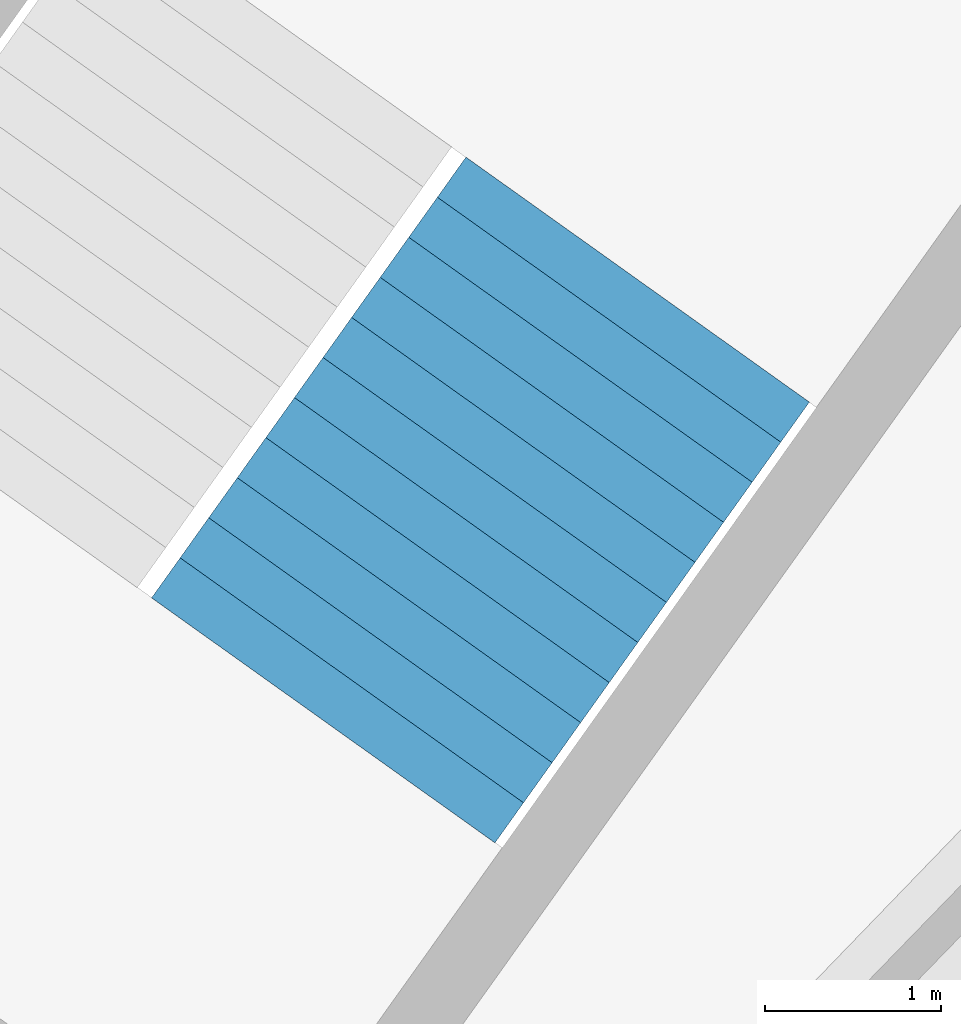
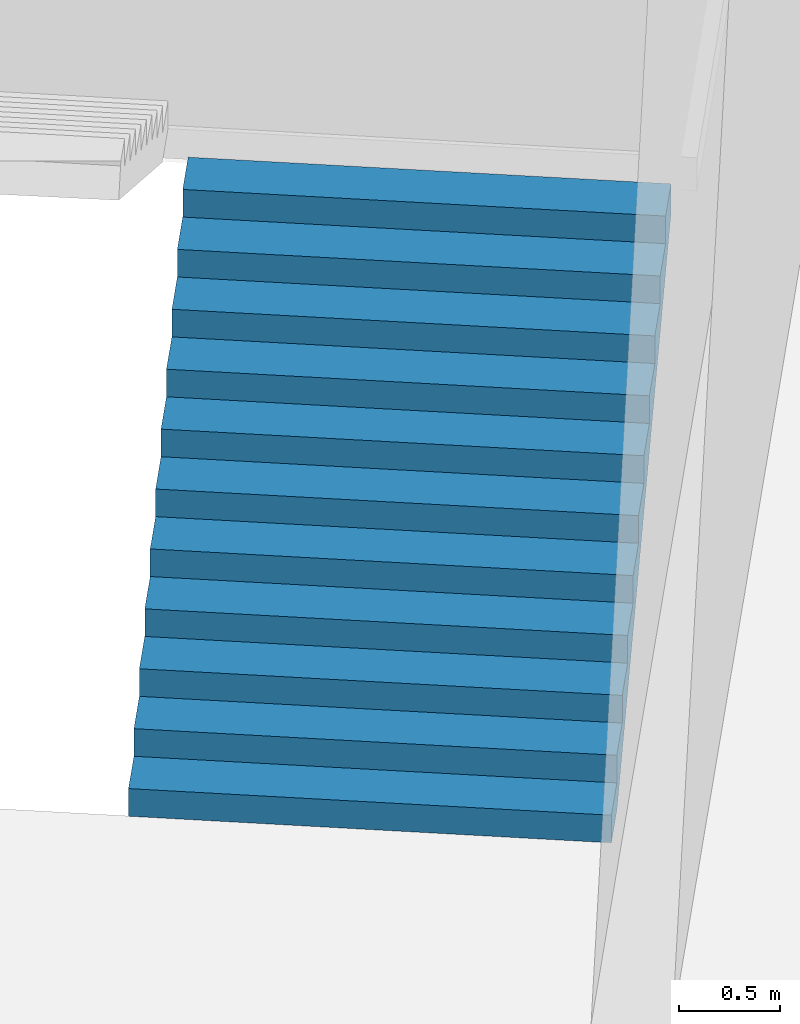
# One storey, part 70 of 74: 1 stair flight, 1 element without a shape of its own.
"""IFC4 building model written with IfcOpenShell, lengths in metres."""

from ifc_helpers import new_model, si_unit, direction, frame, origin, place, context, subcontext, project, spatial, triangles, material, type_object, element, aggregate, save


model = new_model("IFC4")

# Units and contexts
model_context = context("Model", 3, precision=1e-05, world=origin(), true_north=direction((0.0, 1.0)))
body_context = subcontext(model_context, "Body", "Model", "MODEL_VIEW")
ifc_project = project(units=[si_unit("LENGTHUNIT", "METRE"), si_unit("AREAUNIT", "SQUARE_METRE"), si_unit("VOLUMEUNIT", "CUBIC_METRE"), si_unit("PLANEANGLEUNIT", "RADIAN"), si_unit("MASSUNIT", "GRAM", prefix="KILO")], contexts=[model_context])

# Site, building, storey
site_placement = place(None, origin())
site = spatial("IfcSite", under=ifc_project, at=site_placement, CompositionType="ELEMENT")
building_placement = place(site_placement, origin())
building = spatial("IfcBuilding", under=site, at=building_placement, Name="Lantaw Convention Tower", CompositionType="ELEMENT")
storey_placement = place(building_placement, frame((0.0, 0.0, 6.5)))
storey = spatial("IfcBuildingStorey", under=building, at=storey_placement, Name="L01", CompositionType="ELEMENT", Elevation=6.5)

# Stair, stair flight
ifc_material = material(Name="Concrete C35/45", Category="concrete")
stair_type = type_object("IfcStairType", Name="Exit stair 2400 riser 166.67 in 4 flights", PredefinedType="HALF_TURN_STAIR", material=ifc_material)
stair_placement = place(storey_placement, origin())
stair = element("IfcStair", 1, at=stair_placement, inside=storey, type_object=stair_type, Name="Podium exit stair P4 L01", PredefinedType="HALF_TURN_STAIR")
stair_flight_type = type_object("IfcStairFlightType", Name="Stair flight 2400 riser 166.67", PredefinedType="STRAIGHT", material=ifc_material)
stair_flight_placement = place(storey_placement, frame((19.005615234375, 24.4921875, 0.0), z_axis=(0.0, 0.0, 1.0), x_axis=(0.580702955711, 0.814115518356, 0.0)))
stair_flight = element("IfcStairFlight", 2, at=stair_flight_placement, type_object=stair_flight_type, Name="P4 flight 1", NumberOfRisers=12, NumberOfTreads=11, PredefinedType="STRAIGHT", RiserHeight=0.166666667, TreadLength=0.28, context=body_context, shape_type="Tessellation", body=[
    triangles([(0.0, 1.199951171875, 0.0), (0.0, 1.199951171875, 0.166666667), (0.28, 1.199951171875, 0.0), (0.28, 1.199951171875, 0.166666667), (0.28, 1.199951171875, 0.333333334), (0.29307345806906726, 1.199951171875, 0.0), (0.29307345806906726, 1.199951171875, 0.333333334), (0.56, 1.199951171875, 0.15888484670522965), (0.56, 1.199951171875, 0.333333334), (0.56, 1.199951171875, 0.500000001), (0.8400000000000001, 1.199951171875, 0.3255515137052296), (0.8400000000000001, 1.199951171875, 0.500000001), (0.8400000000000001, 1.199951171875, 0.666666668), (1.12, 1.199951171875, 0.4922181807052296), (1.12, 1.199951171875, 0.666666668), (1.12, 1.199951171875, 0.833333335), (1.4000000000000001, 1.199951171875, 0.6588848477052296), (1.4000000000000001, 1.199951171875, 0.833333335), (1.4000000000000001, 1.199951171875, 1.000000002), (1.6800000000000002, 1.199951171875, 0.8255515147052296), (1.6800000000000002, 1.199951171875, 1.000000002), (1.6800000000000002, 1.199951171875, 1.166666669), (1.9600000000000002, 1.199951171875, 0.9922181817052296), (1.9600000000000002, 1.199951171875, 1.166666669), (1.9600000000000002, 1.199951171875, 1.333333336), (2.24, 1.199951171875, 1.1588848487052295), (2.24, 1.199951171875, 1.333333336), (2.24, 1.199951171875, 1.5000000029999998), (2.5200000000000005, 1.199951171875, 1.3255515157052296), (2.5200000000000005, 1.199951171875, 1.5000000029999998), (2.5200000000000005, 1.199951171875, 1.66666667), (2.8000000000000003, 1.199951171875, 1.4922181827052294), (2.8000000000000003, 1.199951171875, 1.66666667), (2.8000000000000003, 1.199951171875, 1.833333337), (3.08, 1.199951171875, 1.6588848497052293), (3.08, 1.199951171875, 1.833333337), (0.0, -1.199951171875, 0.0), (0.0, -1.199951171875, 0.166666667), (0.28, -1.199951171875, 0.0), (0.28, -1.199951171875, 0.166666667), (0.28, -1.199951171875, 0.333333334), (0.29307345806906726, -1.199951171875, 0.0), (0.29307345806906726, -1.199951171875, 0.333333334), (0.56, -1.199951171875, 0.15888484670522965), (0.56, -1.199951171875, 0.333333334), (0.56, -1.199951171875, 0.500000001), (0.8400000000000001, -1.199951171875, 0.3255515137052296), (0.8400000000000001, -1.199951171875, 0.500000001), (0.8400000000000001, -1.199951171875, 0.666666668), (1.12, -1.199951171875, 0.4922181807052296), (1.12, -1.199951171875, 0.666666668), (1.12, -1.199951171875, 0.833333335), (1.4000000000000001, -1.199951171875, 0.6588848477052296), (1.4000000000000001, -1.199951171875, 0.833333335), (1.4000000000000001, -1.199951171875, 1.000000002), (1.6800000000000002, -1.199951171875, 0.8255515147052296), (1.6800000000000002, -1.199951171875, 1.000000002), (1.6800000000000002, -1.199951171875, 1.166666669), (1.9600000000000002, -1.199951171875, 0.9922181817052296), (1.9600000000000002, -1.199951171875, 1.166666669), (1.9600000000000002, -1.199951171875, 1.333333336), (2.24, -1.199951171875, 1.1588848487052295), (2.24, -1.199951171875, 1.333333336), (2.24, -1.199951171875, 1.5000000029999998), (2.5200000000000005, -1.199951171875, 1.3255515157052296), (2.5200000000000005, -1.199951171875, 1.5000000029999998), (2.5200000000000005, -1.199951171875, 1.66666667), (2.8000000000000003, -1.199951171875, 1.4922181827052294), (2.8000000000000003, -1.199951171875, 1.66666667), (2.8000000000000003, -1.199951171875, 1.833333337), (3.08, -1.199951171875, 1.6588848497052293), (3.08, -1.199951171875, 1.833333337), (0.0, 0.239990234375, 0.166666667), (0.0, 0.239990234375, 0.0), (0.0, 0.1199951171875, 0.166666667), (0.0, 0.1199951171875, 0.0), (0.0, 0.0, 0.166666667), (0.0, 0.0, 0.0), (0.0, -0.1199951171875, 0.166666667), (0.0, -0.1199951171875, 0.0), (0.0, -0.239990234375, 0.166666667), (0.0, -0.239990234375, 0.0), (0.28, 0.239990234375, 0.333333334), (0.28, 0.239990234375, 0.166666667), (0.28, 0.1199951171875, 0.333333334), (0.28, 0.1199951171875, 0.166666667), (0.28, 0.0, 0.333333334), (0.28, 0.0, 0.166666667), (0.28, -0.1199951171875, 0.333333334), (0.28, -0.1199951171875, 0.166666667), (0.28, -0.239990234375, 0.333333334), (0.28, -0.239990234375, 0.166666667), (0.56, 0.239990234375, 0.500000001), (0.56, 0.239990234375, 0.333333334), (0.56, 0.1199951171875, 0.500000001), (0.56, 0.1199951171875, 0.333333334), (0.56, 0.0, 0.500000001), (0.56, 0.0, 0.333333334), (0.56, -0.1199951171875, 0.500000001), (0.56, -0.1199951171875, 0.333333334), (0.56, -0.239990234375, 0.500000001), (0.56, -0.239990234375, 0.333333334), (0.8400000000000001, 0.239990234375, 0.666666668), (0.8400000000000001, 0.239990234375, 0.500000001), (0.8400000000000001, 0.1199951171875, 0.666666668), (0.8400000000000001, 0.1199951171875, 0.500000001), (0.8400000000000001, 0.0, 0.666666668), (0.8400000000000001, 0.0, 0.500000001), (0.8400000000000001, -0.1199951171875, 0.666666668), (0.8400000000000001, -0.1199951171875, 0.500000001), (0.8400000000000001, -0.239990234375, 0.666666668), (0.8400000000000001, -0.239990234375, 0.500000001), (1.12, 0.239990234375, 0.833333335), (1.12, 0.239990234375, 0.666666668), (1.12, 0.1199951171875, 0.833333335), (1.12, 0.1199951171875, 0.666666668), (1.12, 0.0, 0.833333335), (1.12, 0.0, 0.666666668), (1.12, -0.1199951171875, 0.833333335), (1.12, -0.1199951171875, 0.666666668), (1.12, -0.239990234375, 0.833333335), (1.12, -0.239990234375, 0.666666668), (1.4000000000000001, 0.239990234375, 1.000000002), (1.4000000000000001, 0.239990234375, 0.833333335), (1.4000000000000001, 0.1199951171875, 1.000000002), (1.4000000000000001, 0.1199951171875, 0.833333335), (1.4000000000000001, 0.0, 1.000000002), (1.4000000000000001, 0.0, 0.833333335), (1.4000000000000001, -0.1199951171875, 1.000000002), (1.4000000000000001, -0.1199951171875, 0.833333335), (1.4000000000000001, -0.239990234375, 1.000000002), (1.4000000000000001, -0.239990234375, 0.833333335), (1.6800000000000002, 0.239990234375, 1.166666669), (1.6800000000000002, 0.239990234375, 1.000000002), (1.6800000000000002, 0.1199951171875, 1.166666669), (1.6800000000000002, 0.1199951171875, 1.000000002), (1.6800000000000002, 0.0, 1.166666669), (1.6800000000000002, 0.0, 1.000000002), (1.6800000000000002, -0.1199951171875, 1.166666669), (1.6800000000000002, -0.1199951171875, 1.000000002), (1.6800000000000002, -0.239990234375, 1.166666669), (1.6800000000000002, -0.239990234375, 1.000000002), (1.9600000000000002, 0.239990234375, 1.333333336), (1.9600000000000002, 0.239990234375, 1.166666669), (1.9600000000000002, 0.1199951171875, 1.333333336), (1.9600000000000002, 0.1199951171875, 1.166666669), (1.9600000000000002, 0.0, 1.333333336), (1.9600000000000002, 0.0, 1.166666669), (1.9600000000000002, -0.1199951171875, 1.333333336), (1.9600000000000002, -0.1199951171875, 1.166666669), (1.9600000000000002, -0.239990234375, 1.333333336), (1.9600000000000002, -0.239990234375, 1.166666669), (2.24, 0.239990234375, 1.5000000029999998), (2.24, 0.239990234375, 1.333333336), (2.24, 0.1199951171875, 1.5000000029999998), (2.24, 0.1199951171875, 1.333333336), (2.24, 0.0, 1.5000000029999998), (2.24, 0.0, 1.333333336), (2.24, -0.1199951171875, 1.5000000029999998), (2.24, -0.1199951171875, 1.333333336), (2.24, -0.239990234375, 1.5000000029999998), (2.24, -0.239990234375, 1.333333336), (2.5200000000000005, 0.239990234375, 1.66666667), (2.5200000000000005, 0.239990234375, 1.5000000029999998), (2.5200000000000005, 0.1199951171875, 1.66666667), (2.5200000000000005, 0.1199951171875, 1.5000000029999998), (2.5200000000000005, 0.0, 1.66666667), (2.5200000000000005, 0.0, 1.5000000029999998), (2.5200000000000005, -0.1199951171875, 1.66666667), (2.5200000000000005, -0.1199951171875, 1.5000000029999998), (2.5200000000000005, -0.239990234375, 1.66666667), (2.5200000000000005, -0.239990234375, 1.5000000029999998), (2.8000000000000003, 0.239990234375, 1.833333337), (2.8000000000000003, 0.239990234375, 1.66666667), (2.8000000000000003, 0.1199951171875, 1.833333337), (2.8000000000000003, 0.1199951171875, 1.66666667), (2.8000000000000003, 0.0, 1.833333337), (2.8000000000000003, 0.0, 1.66666667), (2.8000000000000003, -0.1199951171875, 1.833333337), (2.8000000000000003, -0.1199951171875, 1.66666667), (2.8000000000000003, -0.239990234375, 1.833333337), (2.8000000000000003, -0.239990234375, 1.66666667), (0.29307345806906726, 0.239990234375, 0.333333334), (0.29307345806906726, 0.1199951171875, 0.333333334), (0.29307345806906726, 0.0, 0.333333334), (0.29307345806906726, -0.1199951171875, 0.333333334), (0.29307345806906726, -0.239990234375, 0.333333334), (3.08, 0.239990234375, 1.833333337), (3.08, 0.1199951171875, 1.833333337), (3.08, 0.0, 1.833333337), (3.08, -0.1199951171875, 1.833333337), (3.08, -0.239990234375, 1.833333337), (3.08, 0.239990234375, 1.6588848497052293), (3.08, 0.1199951171875, 1.6588848497052293), (3.08, 0.0, 1.6588848497052293), (3.08, -0.1199951171875, 1.6588848497052293), (3.08, -0.239990234375, 1.6588848497052293), (2.8000000000000003, 0.239990234375, 1.4922181827052294), (2.8000000000000003, 0.1199951171875, 1.4922181827052294), (2.8000000000000003, 0.0, 1.4922181827052294), (2.8000000000000003, -0.1199951171875, 1.4922181827052294), (2.8000000000000003, -0.239990234375, 1.4922181827052294), (2.5200000000000005, 0.239990234375, 1.3255515157052296), (2.5200000000000005, 0.1199951171875, 1.3255515157052296), (2.5200000000000005, 0.0, 1.3255515157052296), (2.5200000000000005, -0.1199951171875, 1.3255515157052296), (2.5200000000000005, -0.239990234375, 1.3255515157052296), (2.24, 0.239990234375, 1.1588848487052295), (2.24, 0.1199951171875, 1.1588848487052295), (2.24, 0.0, 1.1588848487052295), (2.24, -0.1199951171875, 1.1588848487052295), (2.24, -0.239990234375, 1.1588848487052295), (1.9600000000000002, 0.239990234375, 0.9922181817052296), (1.9600000000000002, 0.1199951171875, 0.9922181817052296), (1.9600000000000002, 0.0, 0.9922181817052296), (1.9600000000000002, -0.1199951171875, 0.9922181817052296), (1.9600000000000002, -0.239990234375, 0.9922181817052296), (1.6800000000000002, 0.239990234375, 0.8255515147052296), (1.6800000000000002, 0.1199951171875, 0.8255515147052296), (1.6800000000000002, 0.0, 0.8255515147052296), (1.6800000000000002, -0.1199951171875, 0.8255515147052296), (1.6800000000000002, -0.239990234375, 0.8255515147052296), (1.4000000000000001, 0.239990234375, 0.6588848477052296), (1.4000000000000001, 0.1199951171875, 0.6588848477052296), (1.4000000000000001, 0.0, 0.6588848477052296), (1.4000000000000001, -0.1199951171875, 0.6588848477052296), (1.4000000000000001, -0.239990234375, 0.6588848477052296), (1.12, 0.239990234375, 0.4922181807052296), (1.12, 0.1199951171875, 0.4922181807052296), (1.12, 0.0, 0.4922181807052296), (1.12, -0.1199951171875, 0.4922181807052296), (1.12, -0.239990234375, 0.4922181807052296), (0.8400000000000001, 0.239990234375, 0.3255515137052296), (0.8400000000000001, 0.1199951171875, 0.3255515137052296), (0.8400000000000001, 0.0, 0.3255515137052296), (0.8400000000000001, -0.1199951171875, 0.3255515137052296), (0.8400000000000001, -0.239990234375, 0.3255515137052296), (0.56, 0.239990234375, 0.15888484670522965), (0.56, 0.1199951171875, 0.15888484670522965), (0.56, 0.0, 0.15888484670522965), (0.56, -0.1199951171875, 0.15888484670522965), (0.56, -0.239990234375, 0.15888484670522965), (0.29307345806906726, 0.239990234375, 0.0), (0.29307345806906726, 0.1199951171875, 0.0), (0.29307345806906726, 0.0, 0.0), (0.29307345806906726, -0.1199951171875, 0.0), (0.29307345806906726, -0.239990234375, 0.0), (0.28, 0.239990234375, 0.0), (0.28, 0.1199951171875, 0.0), (0.28, 0.0, 0.0), (0.28, -0.1199951171875, 0.0), (0.28, -0.239990234375, 0.0)], [[1, 4, 3], [1, 2, 4], [3, 4, 6], [4, 7, 6], [4, 5, 7], [6, 9, 8], [6, 7, 9], [8, 9, 11], [9, 12, 11], [9, 10, 12], [11, 12, 14], [12, 15, 14], [12, 13, 15], [14, 15, 17], [15, 18, 17], [15, 16, 18], [17, 18, 20], [18, 21, 20], [18, 19, 21], [20, 21, 23], [21, 24, 23], [21, 22, 24], [23, 24, 26], [24, 27, 26], [24, 25, 27], [26, 27, 29], [27, 30, 29], [27, 28, 30], [29, 30, 32], [30, 33, 32], [30, 31, 33], [32, 33, 35], [33, 36, 35], [33, 34, 36], [37, 39, 40], [37, 40, 38], [39, 42, 40], [40, 42, 43], [40, 43, 41], [42, 44, 45], [42, 45, 43], [44, 47, 45], [45, 47, 48], [45, 48, 46], [47, 50, 48], [48, 50, 51], [48, 51, 49], [50, 53, 51], [51, 53, 54], [51, 54, 52], [53, 56, 54], [54, 56, 57], [54, 57, 55], [56, 59, 57], [57, 59, 60], [57, 60, 58], [59, 62, 60], [60, 62, 63], [60, 63, 61], [62, 65, 63], [63, 65, 66], [63, 66, 64], [65, 68, 66], [66, 68, 69], [66, 69, 67], [68, 71, 69], [69, 71, 72], [69, 72, 70], [1, 73, 2], [1, 74, 73], [74, 75, 73], [74, 76, 75], [76, 77, 75], [76, 78, 77], [78, 79, 77], [78, 80, 79], [80, 81, 79], [80, 82, 81], [82, 38, 81], [82, 37, 38], [4, 83, 5], [4, 84, 83], [84, 85, 83], [84, 86, 85], [86, 87, 85], [86, 88, 87], [88, 89, 87], [88, 90, 89], [90, 91, 89], [90, 92, 91], [92, 41, 91], [92, 40, 41], [9, 93, 10], [9, 94, 93], [94, 95, 93], [94, 96, 95], [96, 97, 95], [96, 98, 97], [98, 99, 97], [98, 100, 99], [100, 101, 99], [100, 102, 101], [102, 46, 101], [102, 45, 46], [12, 103, 13], [12, 104, 103], [104, 105, 103], [104, 106, 105], [106, 107, 105], [106, 108, 107], [108, 109, 107], [108, 110, 109], [110, 111, 109], [110, 112, 111], [112, 49, 111], [112, 48, 49], [15, 113, 16], [15, 114, 113], [114, 115, 113], [114, 116, 115], [116, 117, 115], [116, 118, 117], [118, 119, 117], [118, 120, 119], [120, 121, 119], [120, 122, 121], [122, 52, 121], [122, 51, 52], [18, 123, 19], [18, 124, 123], [124, 125, 123], [124, 126, 125], [126, 127, 125], [126, 128, 127], [128, 129, 127], [128, 130, 129], [130, 131, 129], [130, 132, 131], [132, 55, 131], [132, 54, 55], [21, 133, 22], [21, 134, 133], [134, 135, 133], [134, 136, 135], [136, 137, 135], [136, 138, 137], [138, 139, 137], [138, 140, 139], [140, 141, 139], [140, 142, 141], [142, 58, 141], [142, 57, 58], [24, 143, 25], [24, 144, 143], [144, 145, 143], [144, 146, 145], [146, 147, 145], [146, 148, 147], [148, 149, 147], [148, 150, 149], [150, 151, 149], [150, 152, 151], [152, 61, 151], [152, 60, 61], [27, 153, 28], [27, 154, 153], [154, 155, 153], [154, 156, 155], [156, 157, 155], [156, 158, 157], [158, 159, 157], [158, 160, 159], [160, 161, 159], [160, 162, 161], [162, 64, 161], [162, 63, 64], [30, 163, 31], [30, 164, 163], [164, 165, 163], [164, 166, 165], [166, 167, 165], [166, 168, 167], [168, 169, 167], [168, 170, 169], [170, 171, 169], [170, 172, 171], [172, 67, 171], [172, 66, 67], [33, 173, 34], [33, 174, 173], [174, 175, 173], [174, 176, 175], [176, 177, 175], [176, 178, 177], [178, 179, 177], [178, 180, 179], [180, 181, 179], [180, 182, 181], [182, 70, 181], [182, 69, 70], [2, 84, 4], [2, 73, 84], [73, 86, 84], [73, 75, 86], [75, 88, 86], [75, 77, 88], [77, 90, 88], [77, 79, 90], [79, 92, 90], [79, 81, 92], [81, 40, 92], [81, 38, 40], [5, 183, 7], [5, 83, 183], [83, 184, 183], [83, 85, 184], [85, 185, 184], [85, 87, 185], [87, 186, 185], [87, 89, 186], [89, 187, 186], [89, 91, 187], [91, 43, 187], [91, 41, 43], [7, 94, 9], [7, 183, 94], [183, 96, 94], [183, 184, 96], [184, 98, 96], [184, 185, 98], [185, 100, 98], [185, 186, 100], [186, 102, 100], [186, 187, 102], [187, 45, 102], [187, 43, 45], [10, 104, 12], [10, 93, 104], [93, 106, 104], [93, 95, 106], [95, 108, 106], [95, 97, 108], [97, 110, 108], [97, 99, 110], [99, 112, 110], [99, 101, 112], [101, 48, 112], [101, 46, 48], [13, 114, 15], [13, 103, 114], [103, 116, 114], [103, 105, 116], [105, 118, 116], [105, 107, 118], [107, 120, 118], [107, 109, 120], [109, 122, 120], [109, 111, 122], [111, 51, 122], [111, 49, 51], [16, 124, 18], [16, 113, 124], [113, 126, 124], [113, 115, 126], [115, 128, 126], [115, 117, 128], [117, 130, 128], [117, 119, 130], [119, 132, 130], [119, 121, 132], [121, 54, 132], [121, 52, 54], [19, 134, 21], [19, 123, 134], [123, 136, 134], [123, 125, 136], [125, 138, 136], [125, 127, 138], [127, 140, 138], [127, 129, 140], [129, 142, 140], [129, 131, 142], [131, 57, 142], [131, 55, 57], [22, 144, 24], [22, 133, 144], [133, 146, 144], [133, 135, 146], [135, 148, 146], [135, 137, 148], [137, 150, 148], [137, 139, 150], [139, 152, 150], [139, 141, 152], [141, 60, 152], [141, 58, 60], [25, 154, 27], [25, 143, 154], [143, 156, 154], [143, 145, 156], [145, 158, 156], [145, 147, 158], [147, 160, 158], [147, 149, 160], [149, 162, 160], [149, 151, 162], [151, 63, 162], [151, 61, 63], [28, 164, 30], [28, 153, 164], [153, 166, 164], [153, 155, 166], [155, 168, 166], [155, 157, 168], [157, 170, 168], [157, 159, 170], [159, 172, 170], [159, 161, 172], [161, 66, 172], [161, 64, 66], [31, 174, 33], [31, 163, 174], [163, 176, 174], [163, 165, 176], [165, 178, 176], [165, 167, 178], [167, 180, 178], [167, 169, 180], [169, 182, 180], [169, 171, 182], [171, 69, 182], [171, 67, 69], [34, 188, 36], [34, 173, 188], [173, 189, 188], [173, 175, 189], [175, 190, 189], [175, 177, 190], [177, 191, 190], [177, 179, 191], [179, 192, 191], [179, 181, 192], [181, 72, 192], [181, 70, 72], [36, 193, 35], [36, 188, 193], [188, 194, 193], [188, 189, 194], [189, 195, 194], [189, 190, 195], [190, 196, 195], [190, 191, 196], [191, 197, 196], [191, 192, 197], [192, 71, 197], [192, 72, 71], [35, 198, 32], [35, 193, 198], [193, 199, 198], [193, 194, 199], [194, 200, 199], [194, 195, 200], [195, 201, 200], [195, 196, 201], [196, 202, 201], [196, 197, 202], [197, 68, 202], [197, 71, 68], [32, 203, 29], [32, 198, 203], [198, 204, 203], [198, 199, 204], [199, 205, 204], [199, 200, 205], [200, 206, 205], [200, 201, 206], [201, 207, 206], [201, 202, 207], [202, 65, 207], [202, 68, 65], [29, 208, 26], [29, 203, 208], [203, 209, 208], [203, 204, 209], [204, 210, 209], [204, 205, 210], [205, 211, 210], [205, 206, 211], [206, 212, 211], [206, 207, 212], [207, 62, 212], [207, 65, 62], [26, 213, 23], [26, 208, 213], [208, 214, 213], [208, 209, 214], [209, 215, 214], [209, 210, 215], [210, 216, 215], [210, 211, 216], [211, 217, 216], [211, 212, 217], [212, 59, 217], [212, 62, 59], [23, 218, 20], [23, 213, 218], [213, 219, 218], [213, 214, 219], [214, 220, 219], [214, 215, 220], [215, 221, 220], [215, 216, 221], [216, 222, 221], [216, 217, 222], [217, 56, 222], [217, 59, 56], [20, 223, 17], [20, 218, 223], [218, 224, 223], [218, 219, 224], [219, 225, 224], [219, 220, 225], [220, 226, 225], [220, 221, 226], [221, 227, 226], [221, 222, 227], [222, 53, 227], [222, 56, 53], [17, 228, 14], [17, 223, 228], [223, 229, 228], [223, 224, 229], [224, 230, 229], [224, 225, 230], [225, 231, 230], [225, 226, 231], [226, 232, 231], [226, 227, 232], [227, 50, 232], [227, 53, 50], [14, 233, 11], [14, 228, 233], [228, 234, 233], [228, 229, 234], [229, 235, 234], [229, 230, 235], [230, 236, 235], [230, 231, 236], [231, 237, 236], [231, 232, 237], [232, 47, 237], [232, 50, 47], [11, 238, 8], [11, 233, 238], [233, 239, 238], [233, 234, 239], [234, 240, 239], [234, 235, 240], [235, 241, 240], [235, 236, 241], [236, 242, 241], [236, 237, 242], [237, 44, 242], [237, 47, 44], [8, 243, 6], [8, 238, 243], [238, 244, 243], [238, 239, 244], [239, 245, 244], [239, 240, 245], [240, 246, 245], [240, 241, 246], [241, 247, 246], [241, 242, 247], [242, 42, 247], [242, 44, 42], [6, 248, 3], [6, 243, 248], [243, 249, 248], [243, 244, 249], [244, 250, 249], [244, 245, 250], [245, 251, 250], [245, 246, 251], [246, 252, 251], [246, 247, 252], [247, 39, 252], [247, 42, 39], [3, 74, 1], [3, 248, 74], [248, 76, 74], [248, 249, 76], [249, 78, 76], [249, 250, 78], [250, 80, 78], [250, 251, 80], [251, 82, 80], [251, 252, 82], [252, 37, 82], [252, 39, 37]], closed=True),
])
aggregate(stair, [stair_flight])

save(model, "model.ifc")
